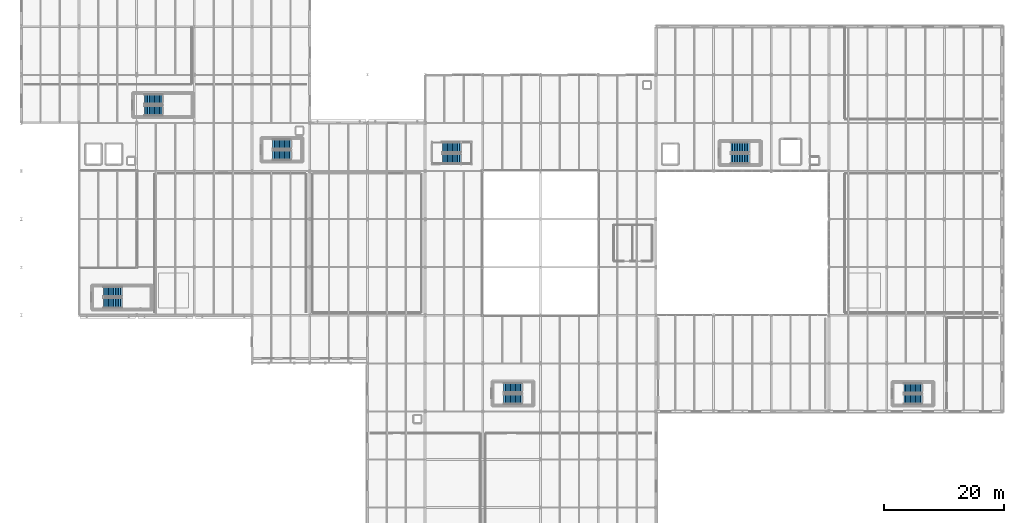
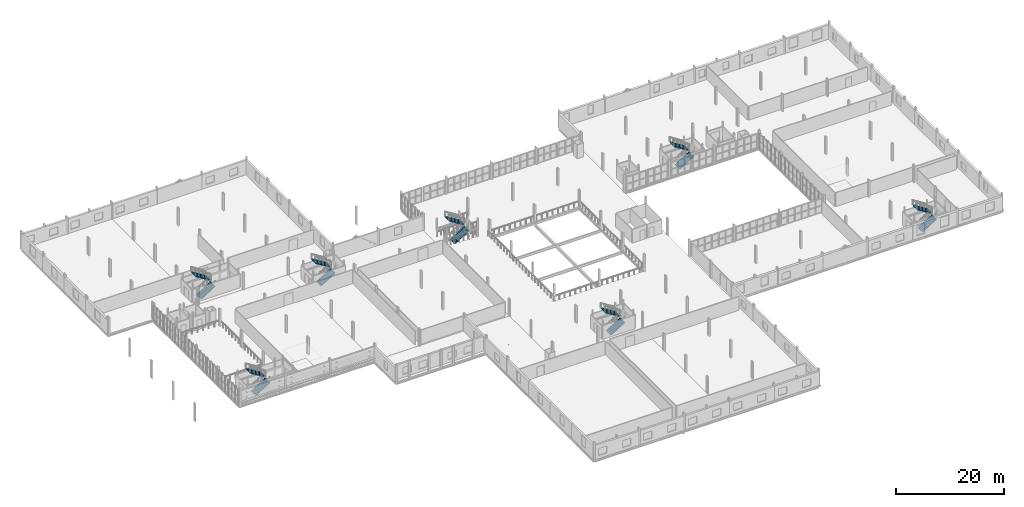
# One storey, part 66 of 78: 14 stair flights, 7 elements without a shape of their own.
"""IFC4 building model written with IfcOpenShell, lengths in metres."""

from ifc_helpers import new_model, si_unit, direction, frame, origin, place, context, subcontext, project, spatial, polyline, outline, extrude, material, type_object, element, aggregate, save


model = new_model("IFC4")

# Units and contexts
model_context = context("Model", 3, precision=1e-05, world=origin(), true_north=direction((0.0, 1.0)))
body_context = subcontext(model_context, "Body", "Model", "MODEL_VIEW")
ifc_project = project(units=[si_unit("LENGTHUNIT", "METRE"), si_unit("AREAUNIT", "SQUARE_METRE"), si_unit("VOLUMEUNIT", "CUBIC_METRE"), si_unit("PLANEANGLEUNIT", "RADIAN"), si_unit("MASSUNIT", "GRAM", prefix="KILO")], contexts=[model_context])

# Site, building, storey
site_placement = place(None, origin())
site = spatial("IfcSite", under=ifc_project, at=site_placement, CompositionType="ELEMENT")
building_placement = place(site_placement, origin())
building = spatial("IfcBuilding", under=site, at=building_placement, Name="Alderhovde Museum", CompositionType="ELEMENT")
storey_placement = place(building_placement, frame((0.0, 0.0, 4.5)))
storey = spatial("IfcBuildingStorey", under=building, at=storey_placement, Name="L01", CompositionType="ELEMENT", Elevation=4.5)

# Stair, stair flights
ifc_material_1 = material(Name="Concrete C35/45", Category="concrete")
stair_type = type_object("IfcStairType", Name="STR-1500-4200", PredefinedType="HALF_TURN_STAIR", material=ifc_material_1)
stair_1_placement = place(storey_placement, origin())
stair_1 = element("IfcStair", 1, at=stair_1_placement, inside=storey, type_object=stair_type, Name="L01 Escape Stair ST1", PredefinedType="HALF_TURN_STAIR")
ifc_material_2 = material(Name="Concrete C35/45", Category="concrete")
stair_flight_type = type_object("IfcStairFlightType", Name="STF-1500-4200", PredefinedType="STRAIGHT", material=ifc_material_2)
stair_flight_1_placement = place(storey_placement, frame((23.280029296875, 50.0400390625, 0.0), z_axis=(0.0, 0.0, 1.0), x_axis=(1.0, 0.0, 0.0)))
stair_flight_1 = element("IfcStairFlight", 2, at=stair_flight_1_placement, type_object=stair_flight_type, Name="ST1 flight 1", NumberOfRisers=12, NumberOfTreads=11, PredefinedType="STRAIGHT", RiserHeight=0.175, TreadLength=0.28, context=body_context, shape_type="SweptSolid", body=[
    extrude(outline(polyline([(0.0, 0.0), (0.0, 0.175048828125), (0.280029296875, 0.175048828125), (0.280029296875, 0.35009765625), (0.56005859375, 0.35009765625), (0.56005859375, 0.52490234375), (0.840087890625, 0.52490234375), (0.840087890625, 0.699951171875), (1.1201171875, 0.699951171875), (1.1201171875, 0.875), (1.39990234375, 0.875), (1.39990234375, 1.050048828125), (1.679931640625, 1.050048828125), (1.679931640625, 1.22509765625), (1.9599609375, 1.22509765625), (1.9599609375, 1.39990234375), (2.239990234375, 1.39990234375), (2.239990234375, 1.574951171875), (2.52001953125, 1.574951171875), (2.52001953125, 1.75), (2.800048828125, 1.75), (2.800048828125, 1.925048828125), (3.080078125, 1.925048828125), (3.080078125, 2.10009765625), (3.080078125, 1.748291015625), (0.28271484375, 0.0), (0.0, 0.0)])), frame((0.0, 0.83984375, 0.0), z_axis=(0.0, -1.0, 0.0), x_axis=(1.0, 0.0, 0.0)), (0.0, 0.0, 1.0), 1.679931640625),
])
stair_flight_2_placement = place(storey_placement, frame((26.360107421875, 51.919921875, 2.10009765625), z_axis=(0.0, 0.0, 1.0), x_axis=(-1.0, 0.0, 0.0)))
stair_flight_2 = element("IfcStairFlight", 3, at=stair_flight_2_placement, type_object=stair_flight_type, Name="ST1 flight 2", NumberOfRisers=12, NumberOfTreads=11, PredefinedType="STRAIGHT", RiserHeight=0.175, TreadLength=0.28, context=body_context, shape_type="SweptSolid", body=[
    extrude(outline(polyline([(0.0, 0.0), (0.0, 0.175048828125), (0.280029296875, 0.175048828125), (0.280029296875, 0.35009765625), (0.56005859375, 0.35009765625), (0.56005859375, 0.52490234375), (0.840087890625, 0.52490234375), (0.840087890625, 0.699951171875), (1.1201171875, 0.699951171875), (1.1201171875, 0.875), (1.39990234375, 0.875), (1.39990234375, 1.050048828125), (1.679931640625, 1.050048828125), (1.679931640625, 1.22509765625), (1.9599609375, 1.22509765625), (1.9599609375, 1.39990234375), (2.239990234375, 1.39990234375), (2.239990234375, 1.574951171875), (2.52001953125, 1.574951171875), (2.52001953125, 1.75), (2.800048828125, 1.75), (2.800048828125, 1.925048828125), (3.080078125, 1.925048828125), (3.080078125, 2.10009765625), (3.080078125, 1.748291015625), (0.28271484375, 0.0), (0.0, 0.0)])), frame((0.0, 0.83984375, 0.0), z_axis=(0.0, -1.0, 0.0), x_axis=(1.0, 0.0, 0.0)), (0.0, 0.0, 1.0), 1.679931640625),
])
aggregate(stair_1, [stair_flight_1, stair_flight_2])

stair_2_placement = place(storey_placement, origin())
stair_2 = element("IfcStair", 4, at=stair_2_placement, inside=storey, type_object=stair_type, Name="L01 Escape Stair ST2", PredefinedType="HALF_TURN_STAIR")
stair_flight_3_placement = place(storey_placement, frame((30.080078125, 82.0400390625, 0.0), z_axis=(0.0, 0.0, 1.0), x_axis=(1.0, 0.0, 0.0)))
stair_flight_3 = element("IfcStairFlight", 5, at=stair_flight_3_placement, type_object=stair_flight_type, Name="ST2 flight 1", NumberOfRisers=12, NumberOfTreads=11, PredefinedType="STRAIGHT", RiserHeight=0.175, TreadLength=0.28, context=body_context, shape_type="SweptSolid", body=[
    extrude(outline(polyline([(0.0, 0.0), (0.0, 0.175048828125), (0.280029296875, 0.175048828125), (0.280029296875, 0.35009765625), (0.56005859375, 0.35009765625), (0.56005859375, 0.52490234375), (0.840087890625, 0.52490234375), (0.840087890625, 0.699951171875), (1.1201171875, 0.699951171875), (1.1201171875, 0.875), (1.39990234375, 0.875), (1.39990234375, 1.050048828125), (1.679931640625, 1.050048828125), (1.679931640625, 1.22509765625), (1.9599609375, 1.22509765625), (1.9599609375, 1.39990234375), (2.239990234375, 1.39990234375), (2.239990234375, 1.574951171875), (2.52001953125, 1.574951171875), (2.52001953125, 1.75), (2.800048828125, 1.75), (2.800048828125, 1.925048828125), (3.080078125, 1.925048828125), (3.080078125, 2.10009765625), (3.080078125, 1.748291015625), (0.28271484375, 0.0), (0.0, 0.0)])), frame((0.0, 0.83984375, 0.0), z_axis=(0.0, -1.0, 0.0), x_axis=(1.0, 0.0, 0.0)), (0.0, 0.0, 1.0), 1.679931640625),
])
stair_flight_4_placement = place(storey_placement, frame((33.159912109375, 83.919921875, 2.10009765625), z_axis=(0.0, 0.0, 1.0), x_axis=(-1.0, 0.0, 0.0)))
stair_flight_4 = element("IfcStairFlight", 6, at=stair_flight_4_placement, type_object=stair_flight_type, Name="ST2 flight 2", NumberOfRisers=12, NumberOfTreads=11, PredefinedType="STRAIGHT", RiserHeight=0.175, TreadLength=0.28, context=body_context, shape_type="SweptSolid", body=[
    extrude(outline(polyline([(0.0, 0.0), (0.0, 0.175048828125), (0.280029296875, 0.175048828125), (0.280029296875, 0.35009765625), (0.56005859375, 0.35009765625), (0.56005859375, 0.52490234375), (0.840087890625, 0.52490234375), (0.840087890625, 0.699951171875), (1.1201171875, 0.699951171875), (1.1201171875, 0.875), (1.39990234375, 0.875), (1.39990234375, 1.050048828125), (1.679931640625, 1.050048828125), (1.679931640625, 1.22509765625), (1.9599609375, 1.22509765625), (1.9599609375, 1.39990234375), (2.239990234375, 1.39990234375), (2.239990234375, 1.574951171875), (2.52001953125, 1.574951171875), (2.52001953125, 1.75), (2.800048828125, 1.75), (2.800048828125, 1.925048828125), (3.080078125, 1.925048828125), (3.080078125, 2.10009765625), (3.080078125, 1.748291015625), (0.28271484375, 0.0), (0.0, 0.0)])), frame((0.0, 0.83984375, 0.0), z_axis=(0.0, -1.0, 0.0), x_axis=(1.0, 0.0, 0.0)), (0.0, 0.0, 1.0), 1.679931640625),
])
aggregate(stair_2, [stair_flight_3, stair_flight_4])

stair_3_placement = place(storey_placement, origin())
stair_3 = element("IfcStair", 7, at=stair_3_placement, inside=storey, type_object=stair_type, Name="L01 Escape Stair ST3", PredefinedType="HALF_TURN_STAIR")
stair_flight_5_placement = place(storey_placement, frame((89.8798828125, 34.0400390625, 0.0), z_axis=(0.0, 0.0, 1.0), x_axis=(1.0, 0.0, 0.0)))
stair_flight_5 = element("IfcStairFlight", 8, at=stair_flight_5_placement, type_object=stair_flight_type, Name="ST3 flight 1", NumberOfRisers=12, NumberOfTreads=11, PredefinedType="STRAIGHT", RiserHeight=0.175, TreadLength=0.28, context=body_context, shape_type="SweptSolid", body=[
    extrude(outline(polyline([(0.0, 0.0), (0.0, 0.175048828125), (0.280029296875, 0.175048828125), (0.280029296875, 0.35009765625), (0.56005859375, 0.35009765625), (0.56005859375, 0.52490234375), (0.840087890625, 0.52490234375), (0.840087890625, 0.699951171875), (1.1201171875, 0.699951171875), (1.1201171875, 0.875), (1.39990234375, 0.875), (1.39990234375, 1.050048828125), (1.679931640625, 1.050048828125), (1.679931640625, 1.22509765625), (1.9599609375, 1.22509765625), (1.9599609375, 1.39990234375), (2.239990234375, 1.39990234375), (2.239990234375, 1.574951171875), (2.52001953125, 1.574951171875), (2.52001953125, 1.75), (2.800048828125, 1.75), (2.800048828125, 1.925048828125), (3.080078125, 1.925048828125), (3.080078125, 2.10009765625), (3.080078125, 1.748291015625), (0.28271484375, 0.0), (0.0, 0.0)])), frame((0.0, 0.83984375, 0.0), z_axis=(0.0, -1.0, 0.0), x_axis=(1.0, 0.0, 0.0)), (0.0, 0.0, 1.0), 1.679931640625),
])
stair_flight_6_placement = place(storey_placement, frame((92.9599609375, 35.919921875, 2.10009765625), z_axis=(0.0, 0.0, 1.0), x_axis=(-1.0, 0.0, 0.0)))
stair_flight_6 = element("IfcStairFlight", 9, at=stair_flight_6_placement, type_object=stair_flight_type, Name="ST3 flight 2", NumberOfRisers=12, NumberOfTreads=11, PredefinedType="STRAIGHT", RiserHeight=0.175, TreadLength=0.28, context=body_context, shape_type="SweptSolid", body=[
    extrude(outline(polyline([(0.0, 0.0), (0.0, 0.175048828125), (0.280029296875, 0.175048828125), (0.280029296875, 0.35009765625), (0.56005859375, 0.35009765625), (0.56005859375, 0.52490234375), (0.840087890625, 0.52490234375), (0.840087890625, 0.699951171875), (1.1201171875, 0.699951171875), (1.1201171875, 0.875), (1.39990234375, 0.875), (1.39990234375, 1.050048828125), (1.679931640625, 1.050048828125), (1.679931640625, 1.22509765625), (1.9599609375, 1.22509765625), (1.9599609375, 1.39990234375), (2.239990234375, 1.39990234375), (2.239990234375, 1.574951171875), (2.52001953125, 1.574951171875), (2.52001953125, 1.75), (2.800048828125, 1.75), (2.800048828125, 1.925048828125), (3.080078125, 1.925048828125), (3.080078125, 2.10009765625), (3.080078125, 1.748291015625), (0.28271484375, 0.0), (0.0, 0.0)])), frame((0.0, 0.83984375, 0.0), z_axis=(0.0, -1.0, 0.0), x_axis=(1.0, 0.0, 0.0)), (0.0, 0.0, 1.0), 1.679931640625),
])
aggregate(stair_3, [stair_flight_5, stair_flight_6])

stair_4_placement = place(storey_placement, origin())
stair_4 = element("IfcStair", 10, at=stair_4_placement, inside=storey, type_object=stair_type, Name="L01 Escape Stair ST4", PredefinedType="HALF_TURN_STAIR")
stair_flight_7_placement = place(storey_placement, frame((127.679931640625, 74.0400390625, 0.0), z_axis=(0.0, 0.0, 1.0), x_axis=(1.0, 0.0, 0.0)))
stair_flight_7 = element("IfcStairFlight", 11, at=stair_flight_7_placement, type_object=stair_flight_type, Name="ST4 flight 1", NumberOfRisers=12, NumberOfTreads=11, PredefinedType="STRAIGHT", RiserHeight=0.175, TreadLength=0.28, context=body_context, shape_type="SweptSolid", body=[
    extrude(outline(polyline([(0.0, 0.0), (0.0, 0.175048828125), (0.280029296875, 0.175048828125), (0.280029296875, 0.35009765625), (0.56005859375, 0.35009765625), (0.56005859375, 0.52490234375), (0.840087890625, 0.52490234375), (0.840087890625, 0.699951171875), (1.1201171875, 0.699951171875), (1.1201171875, 0.875), (1.39990234375, 0.875), (1.39990234375, 1.050048828125), (1.679931640625, 1.050048828125), (1.679931640625, 1.22509765625), (1.9599609375, 1.22509765625), (1.9599609375, 1.39990234375), (2.239990234375, 1.39990234375), (2.239990234375, 1.574951171875), (2.52001953125, 1.574951171875), (2.52001953125, 1.75), (2.800048828125, 1.75), (2.800048828125, 1.925048828125), (3.080078125, 1.925048828125), (3.080078125, 2.10009765625), (3.080078125, 1.748291015625), (0.28271484375, 0.0), (0.0, 0.0)])), frame((0.0, 0.83984375, 0.0), z_axis=(0.0, -1.0, 0.0), x_axis=(1.0, 0.0, 0.0)), (0.0, 0.0, 1.0), 1.679931640625),
])
stair_flight_8_placement = place(storey_placement, frame((130.760009765625, 75.919921875, 2.10009765625), z_axis=(0.0, 0.0, 1.0), x_axis=(-1.0, 0.0, 0.0)))
stair_flight_8 = element("IfcStairFlight", 12, at=stair_flight_8_placement, type_object=stair_flight_type, Name="ST4 flight 2", NumberOfRisers=12, NumberOfTreads=11, PredefinedType="STRAIGHT", RiserHeight=0.175, TreadLength=0.28, context=body_context, shape_type="SweptSolid", body=[
    extrude(outline(polyline([(0.0, 0.0), (0.0, 0.175048828125), (0.280029296875, 0.175048828125), (0.280029296875, 0.35009765625), (0.56005859375, 0.35009765625), (0.56005859375, 0.52490234375), (0.840087890625, 0.52490234375), (0.840087890625, 0.699951171875), (1.1201171875, 0.699951171875), (1.1201171875, 0.875), (1.39990234375, 0.875), (1.39990234375, 1.050048828125), (1.679931640625, 1.050048828125), (1.679931640625, 1.22509765625), (1.9599609375, 1.22509765625), (1.9599609375, 1.39990234375), (2.239990234375, 1.39990234375), (2.239990234375, 1.574951171875), (2.52001953125, 1.574951171875), (2.52001953125, 1.75), (2.800048828125, 1.75), (2.800048828125, 1.925048828125), (3.080078125, 1.925048828125), (3.080078125, 2.10009765625), (3.080078125, 1.748291015625), (0.28271484375, 0.0), (0.0, 0.0)])), frame((0.0, 0.83984375, 0.0), z_axis=(0.0, -1.0, 0.0), x_axis=(1.0, 0.0, 0.0)), (0.0, 0.0, 1.0), 1.679931640625),
])
aggregate(stair_4, [stair_flight_7, stair_flight_8])

stair_5_placement = place(storey_placement, origin())
stair_5 = element("IfcStair", 13, at=stair_5_placement, inside=storey, type_object=stair_type, Name="L01 Conservatory Grand Stair ST5", PredefinedType="HALF_TURN_STAIR")
stair_flight_9_placement = place(storey_placement, frame((79.679931640625, 74.0400390625, 0.0), z_axis=(0.0, 0.0, 1.0), x_axis=(1.0, 0.0, 0.0)))
stair_flight_9 = element("IfcStairFlight", 14, at=stair_flight_9_placement, type_object=stair_flight_type, Name="ST5 flight 1", NumberOfRisers=12, NumberOfTreads=11, PredefinedType="STRAIGHT", RiserHeight=0.175, TreadLength=0.28, context=body_context, shape_type="SweptSolid", body=[
    extrude(outline(polyline([(0.0, 0.0), (0.0, 0.175048828125), (0.280029296875, 0.175048828125), (0.280029296875, 0.35009765625), (0.56005859375, 0.35009765625), (0.56005859375, 0.52490234375), (0.840087890625, 0.52490234375), (0.840087890625, 0.699951171875), (1.1201171875, 0.699951171875), (1.1201171875, 0.875), (1.39990234375, 0.875), (1.39990234375, 1.050048828125), (1.679931640625, 1.050048828125), (1.679931640625, 1.22509765625), (1.9599609375, 1.22509765625), (1.9599609375, 1.39990234375), (2.239990234375, 1.39990234375), (2.239990234375, 1.574951171875), (2.52001953125, 1.574951171875), (2.52001953125, 1.75), (2.800048828125, 1.75), (2.800048828125, 1.925048828125), (3.080078125, 1.925048828125), (3.080078125, 2.10009765625), (3.080078125, 1.748291015625), (0.28271484375, 0.0), (0.0, 0.0)])), frame((0.0, 0.83984375, 0.0), z_axis=(0.0, -1.0, 0.0), x_axis=(1.0, 0.0, 0.0)), (0.0, 0.0, 1.0), 1.679931640625),
])
stair_flight_10_placement = place(storey_placement, frame((82.760009765625, 75.919921875, 2.10009765625), z_axis=(0.0, 0.0, 1.0), x_axis=(-1.0, 0.0, 0.0)))
stair_flight_10 = element("IfcStairFlight", 15, at=stair_flight_10_placement, type_object=stair_flight_type, Name="ST5 flight 2", NumberOfRisers=12, NumberOfTreads=11, PredefinedType="STRAIGHT", RiserHeight=0.175, TreadLength=0.28, context=body_context, shape_type="SweptSolid", body=[
    extrude(outline(polyline([(0.0, 0.0), (0.0, 0.175048828125), (0.280029296875, 0.175048828125), (0.280029296875, 0.35009765625), (0.56005859375, 0.35009765625), (0.56005859375, 0.52490234375), (0.840087890625, 0.52490234375), (0.840087890625, 0.699951171875), (1.1201171875, 0.699951171875), (1.1201171875, 0.875), (1.39990234375, 0.875), (1.39990234375, 1.050048828125), (1.679931640625, 1.050048828125), (1.679931640625, 1.22509765625), (1.9599609375, 1.22509765625), (1.9599609375, 1.39990234375), (2.239990234375, 1.39990234375), (2.239990234375, 1.574951171875), (2.52001953125, 1.574951171875), (2.52001953125, 1.75), (2.800048828125, 1.75), (2.800048828125, 1.925048828125), (3.080078125, 1.925048828125), (3.080078125, 2.10009765625), (3.080078125, 1.748291015625), (0.28271484375, 0.0), (0.0, 0.0)])), frame((0.0, 0.83984375, 0.0), z_axis=(0.0, -1.0, 0.0), x_axis=(1.0, 0.0, 0.0)), (0.0, 0.0, 1.0), 1.679931640625),
])
aggregate(stair_5, [stair_flight_9, stair_flight_10])

stair_6_placement = place(storey_placement, origin())
stair_6 = element("IfcStair", 16, at=stair_6_placement, inside=storey, type_object=stair_type, Name="L01 Gallery Stair ST6", PredefinedType="HALF_TURN_STAIR")
stair_flight_11_placement = place(storey_placement, frame((51.43994140625, 74.6201171875, 0.0), z_axis=(0.0, 0.0, 1.0), x_axis=(1.0, 0.0, 0.0)))
stair_flight_11 = element("IfcStairFlight", 17, at=stair_flight_11_placement, type_object=stair_flight_type, Name="ST6 flight 1", NumberOfRisers=12, NumberOfTreads=11, PredefinedType="STRAIGHT", RiserHeight=0.175, TreadLength=0.28, context=body_context, shape_type="SweptSolid", body=[
    extrude(outline(polyline([(0.0, 0.0), (0.0, 0.175048828125), (0.280029296875, 0.175048828125), (0.280029296875, 0.35009765625), (0.56005859375, 0.35009765625), (0.56005859375, 0.52490234375), (0.840087890625, 0.52490234375), (0.840087890625, 0.699951171875), (1.1201171875, 0.699951171875), (1.1201171875, 0.875), (1.39990234375, 0.875), (1.39990234375, 1.050048828125), (1.679931640625, 1.050048828125), (1.679931640625, 1.22509765625), (1.9599609375, 1.22509765625), (1.9599609375, 1.39990234375), (2.239990234375, 1.39990234375), (2.239990234375, 1.574951171875), (2.52001953125, 1.574951171875), (2.52001953125, 1.75), (2.800048828125, 1.75), (2.800048828125, 1.925048828125), (3.080078125, 1.925048828125), (3.080078125, 2.10009765625), (3.080078125, 1.748291015625), (0.28271484375, 0.0), (0.0, 0.0)])), frame((0.0, 0.81982421875, 0.0), z_axis=(0.0, -1.0, 0.0), x_axis=(1.0, 0.0, 0.0)), (0.0, 0.0, 1.0), 1.639892578125),
])
stair_flight_12_placement = place(storey_placement, frame((54.52001953125, 76.4599609375, 2.10009765625), z_axis=(0.0, 0.0, 1.0), x_axis=(-1.0, 0.0, 0.0)))
stair_flight_12 = element("IfcStairFlight", 18, at=stair_flight_12_placement, type_object=stair_flight_type, Name="ST6 flight 2", NumberOfRisers=12, NumberOfTreads=11, PredefinedType="STRAIGHT", RiserHeight=0.175, TreadLength=0.28, context=body_context, shape_type="SweptSolid", body=[
    extrude(outline(polyline([(0.0, 0.0), (0.0, 0.175048828125), (0.280029296875, 0.175048828125), (0.280029296875, 0.35009765625), (0.56005859375, 0.35009765625), (0.56005859375, 0.52490234375), (0.840087890625, 0.52490234375), (0.840087890625, 0.699951171875), (1.1201171875, 0.699951171875), (1.1201171875, 0.875), (1.39990234375, 0.875), (1.39990234375, 1.050048828125), (1.679931640625, 1.050048828125), (1.679931640625, 1.22509765625), (1.9599609375, 1.22509765625), (1.9599609375, 1.39990234375), (2.239990234375, 1.39990234375), (2.239990234375, 1.574951171875), (2.52001953125, 1.574951171875), (2.52001953125, 1.75), (2.800048828125, 1.75), (2.800048828125, 1.925048828125), (3.080078125, 1.925048828125), (3.080078125, 2.10009765625), (3.080078125, 1.748291015625), (0.28271484375, 0.0), (0.0, 0.0)])), frame((0.0, 0.81982421875, 0.0), z_axis=(0.0, -1.0, 0.0), x_axis=(1.0, 0.0, 0.0)), (0.0, 0.0, 1.0), 1.639892578125),
])
aggregate(stair_6, [stair_flight_11, stair_flight_12])

stair_7_placement = place(storey_placement, origin())
stair_7 = element("IfcStair", 19, at=stair_7_placement, inside=storey, type_object=stair_type, Name="L01 East Wing Escape Stair ST7", PredefinedType="HALF_TURN_STAIR")
stair_flight_13_placement = place(storey_placement, frame((156.43994140625, 34.02001953125, 0.0), z_axis=(0.0, 0.0, 1.0), x_axis=(1.0, 0.0, 0.0)))
stair_flight_13 = element("IfcStairFlight", 20, at=stair_flight_13_placement, type_object=stair_flight_type, Name="ST7 flight 1", NumberOfRisers=12, NumberOfTreads=11, PredefinedType="STRAIGHT", RiserHeight=0.175, TreadLength=0.28, context=body_context, shape_type="SweptSolid", body=[
    extrude(outline(polyline([(0.0, 0.0), (0.0, 0.175048828125), (0.280029296875, 0.175048828125), (0.280029296875, 0.35009765625), (0.56005859375, 0.35009765625), (0.56005859375, 0.52490234375), (0.840087890625, 0.52490234375), (0.840087890625, 0.699951171875), (1.1201171875, 0.699951171875), (1.1201171875, 0.875), (1.39990234375, 0.875), (1.39990234375, 1.050048828125), (1.679931640625, 1.050048828125), (1.679931640625, 1.22509765625), (1.9599609375, 1.22509765625), (1.9599609375, 1.39990234375), (2.239990234375, 1.39990234375), (2.239990234375, 1.574951171875), (2.52001953125, 1.574951171875), (2.52001953125, 1.75), (2.800048828125, 1.75), (2.800048828125, 1.925048828125), (3.080078125, 1.925048828125), (3.080078125, 2.10009765625), (3.080078125, 1.748291015625), (0.28271484375, 0.0), (0.0, 0.0)])), frame((0.0, 0.81982421875, 0.0), z_axis=(0.0, -1.0, 0.0), x_axis=(1.0, 0.0, 0.0)), (0.0, 0.0, 1.0), 1.639892578125),
])
stair_flight_14_placement = place(storey_placement, frame((159.52001953125, 35.860107421875, 2.10009765625), z_axis=(0.0, 0.0, 1.0), x_axis=(-1.0, 0.0, 0.0)))
stair_flight_14 = element("IfcStairFlight", 21, at=stair_flight_14_placement, type_object=stair_flight_type, Name="ST7 flight 2", NumberOfRisers=12, NumberOfTreads=11, PredefinedType="STRAIGHT", RiserHeight=0.175, TreadLength=0.28, context=body_context, shape_type="SweptSolid", body=[
    extrude(outline(polyline([(0.0, 0.0), (0.0, 0.175048828125), (0.280029296875, 0.175048828125), (0.280029296875, 0.35009765625), (0.56005859375, 0.35009765625), (0.56005859375, 0.52490234375), (0.840087890625, 0.52490234375), (0.840087890625, 0.699951171875), (1.1201171875, 0.699951171875), (1.1201171875, 0.875), (1.39990234375, 0.875), (1.39990234375, 1.050048828125), (1.679931640625, 1.050048828125), (1.679931640625, 1.22509765625), (1.9599609375, 1.22509765625), (1.9599609375, 1.39990234375), (2.239990234375, 1.39990234375), (2.239990234375, 1.574951171875), (2.52001953125, 1.574951171875), (2.52001953125, 1.75), (2.800048828125, 1.75), (2.800048828125, 1.925048828125), (3.080078125, 1.925048828125), (3.080078125, 2.10009765625), (3.080078125, 1.748291015625), (0.28271484375, 0.0), (0.0, 0.0)])), frame((0.0, 0.81982421875, 0.0), z_axis=(0.0, -1.0, 0.0), x_axis=(1.0, 0.0, 0.0)), (0.0, 0.0, 1.0), 1.639892578125),
])
aggregate(stair_7, [stair_flight_13, stair_flight_14])

save(model, "model.ifc")
